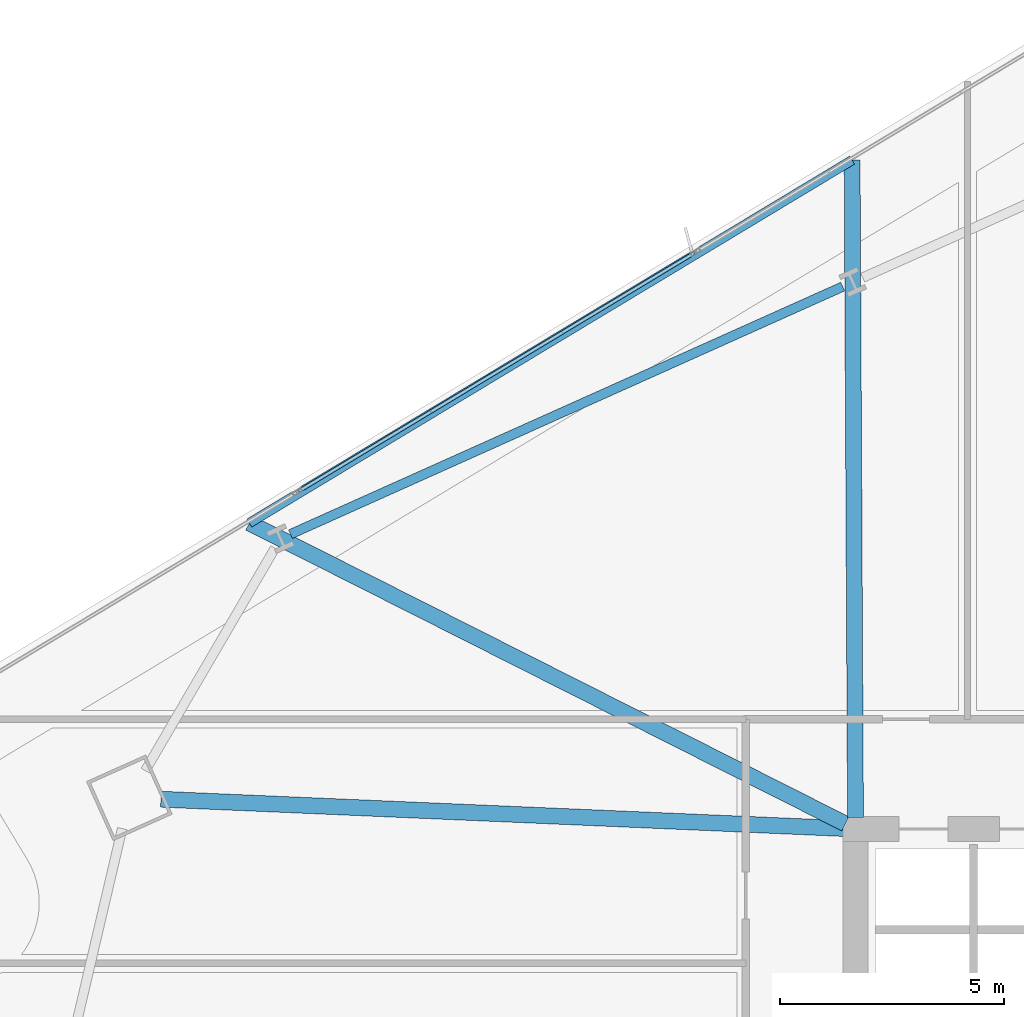
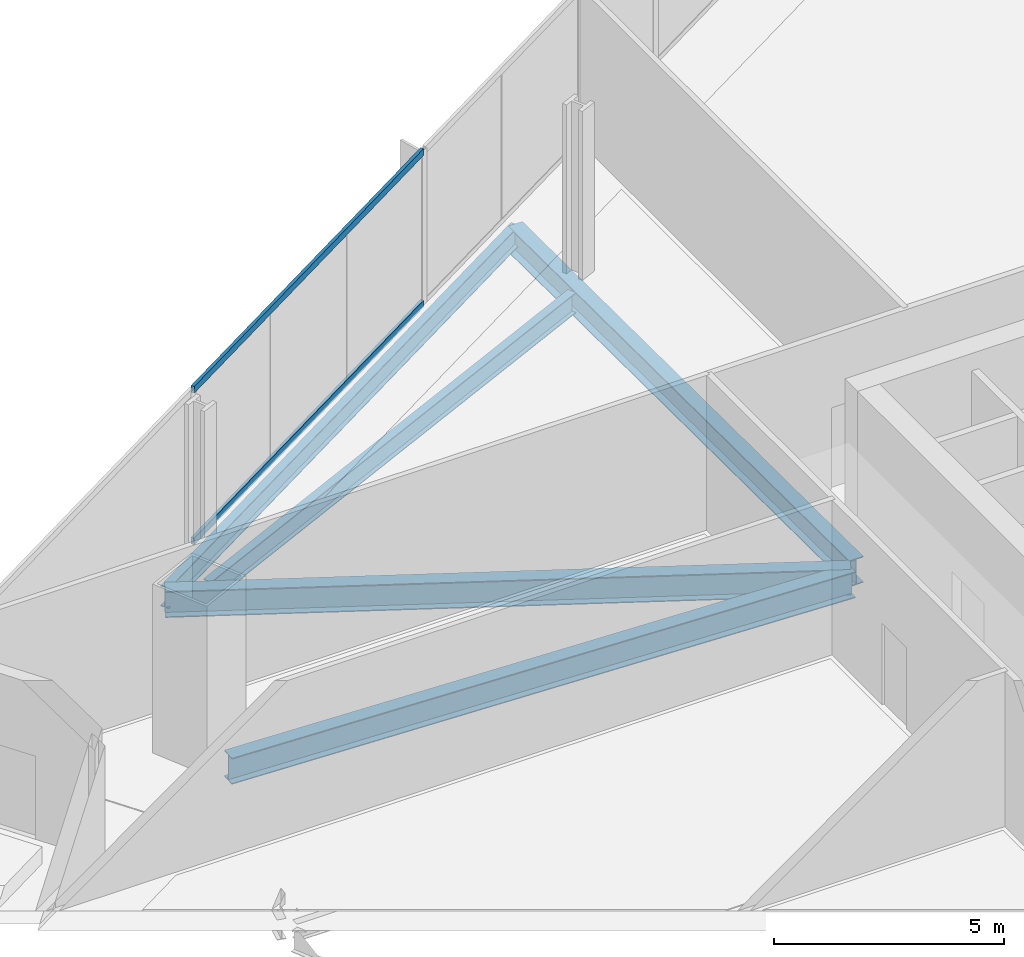
# One storey, part 14 of 30: 5 beams, 2 members, 1 element without a shape of its own.
"""IFC4 building model written with IfcOpenShell, lengths in metres."""

from ifc_helpers import new_model, si_unit, direction, frame, origin, origin_2d, place, context, subcontext, project, spatial, hollow_rectangle, i_section, extrude, material, material_profile, profile_set, type_object, element, aggregate, save


model = new_model("IFC4")

# Units and contexts
model_context = context("Model", 3, precision=1e-05, world=origin(), true_north=direction((0.0, 1.0)))
body_context = subcontext(model_context, "Body", "Model", "MODEL_VIEW")
ifc_project = project(units=[si_unit("LENGTHUNIT", "METRE"), si_unit("AREAUNIT", "SQUARE_METRE"), si_unit("VOLUMEUNIT", "CUBIC_METRE"), si_unit("PLANEANGLEUNIT", "RADIAN"), si_unit("MASSUNIT", "GRAM", prefix="KILO")], contexts=[model_context])

# Site, building, storey
site_placement = place(None, origin())
site = spatial("IfcSite", under=ifc_project, at=site_placement, CompositionType="ELEMENT")
building_placement = place(site_placement, origin())
building = spatial("IfcBuilding", under=site, at=building_placement, Name="Haldenkirk Collegiate Tower", CompositionType="ELEMENT")
storey_placement = place(building_placement, frame((0.0, 0.0, 131.699951171875)))
storey = spatial("IfcBuildingStorey", under=building, at=storey_placement, Name="L32", CompositionType="ELEMENT", Elevation=131.699951171875)

# Beams
ifc_material_1 = material(Name="Steel ASTM A992 Grade 50", Category="steel")
ifc_material_profile_1 = material_profile(ifc_material_1, i_section(OverallWidth=0.35498046875, OverallDepth=0.696044921875, WebThickness=0.015380859375, FlangeThickness=0.02490234375, at=origin_2d()), Name="W27X146")
ifc_profile_set_1 = profile_set([ifc_material_profile_1], Name="Steel ASTM A992 Grade 50")
beam_type_1 = type_object("IfcBeamType", Name="BM-GIRDER-W27X146", PredefinedType="BEAM", material=ifc_profile_set_1)
beam_1_placement = place(storey_placement, frame((11.489990234375, 34.6650390625, -0.697998046875), z_axis=(0.999082162822, -0.042834938212, 0.0), x_axis=(0.042834938212, 0.999082162822, 0.0)))
element("IfcBeam", 1, at=beam_1_placement, inside=storey, type_object=beam_type_1, Name="L32 primary floor girder 04", PredefinedType="BEAM", context=body_context, shape_type="SweptSolid", body=[
    extrude(i_section(OverallWidth=0.35498046875, OverallDepth=0.696044921875, WebThickness=0.015380859375, FlangeThickness=0.02490234375, at=origin_2d()), origin(), (0.0, 0.0, 1.0), 15.26904296875),
])
beam_2_placement = place(storey_placement, frame((26.923828125, 48.934814453125, -0.697998046875), z_axis=(0.005105622888, -0.999986966223, 0.0), x_axis=(0.999986966223, 0.005105622888, 0.0)))
element("IfcBeam", 2, at=beam_2_placement, inside=storey, type_object=beam_type_1, Name="L32 primary floor girder 12", PredefinedType="BEAM", context=body_context, shape_type="SweptSolid", body=[
    extrude(i_section(OverallWidth=0.35498046875, OverallDepth=0.696044921875, WebThickness=0.015380859375, FlangeThickness=0.02490234375, at=origin_2d()), origin(), (0.0, 0.0, 1.0), 14.68017578125),
])
beam_3_placement = place(storey_placement, frame((13.465576171875, 40.832275390625, -0.697998046875), z_axis=(0.892707442185, -0.450636685887, 0.0), x_axis=(0.450636685887, 0.892707442185, 0.0)))
element("IfcBeam", 3, at=beam_3_placement, inside=storey, type_object=beam_type_1, Name="L32 primary floor girder 13", PredefinedType="BEAM", context=body_context, shape_type="SweptSolid", body=[
    extrude(i_section(OverallWidth=0.35498046875, OverallDepth=0.696044921875, WebThickness=0.015380859375, FlangeThickness=0.02490234375, at=origin_2d()), origin(), (0.0, 0.0, 1.0), 14.90625),
])
ifc_material_profile_2 = material_profile(ifc_material_1, i_section(OverallWidth=0.2119140625, OverallDepth=0.5439453125, WebThickness=0.01318359375, FlangeThickness=0.021240234375, at=origin_2d()), Name="W21X83")
ifc_profile_set_2 = profile_set([ifc_material_profile_2], Name="Steel ASTM A992 Grade 50")
beam_type_2 = type_object("IfcBeamType", Name="BM-SPANDREL-W21X83", PredefinedType="SPANDREL", material=ifc_profile_set_2)
beam_4_placement = place(storey_placement, frame((26.7138671875, 46.111083984375, -0.6220703125), z_axis=(-0.912476765144, -0.409128528793, 0.0), x_axis=(0.409128528793, -0.912476765144, 0.0)))
element("IfcBeam", 4, at=beam_4_placement, inside=storey, type_object=beam_type_2, Name="L32 perimeter spandrel beam 11", PredefinedType="SPANDREL", context=body_context, shape_type="SweptSolid", body=[
    extrude(i_section(OverallWidth=0.2119140625, OverallDepth=0.5439453125, WebThickness=0.01318359375, FlangeThickness=0.021240234375, at=origin_2d()), origin(), (0.0, 0.0, 1.0), 13.512939453125),
])
beam_5_placement = place(storey_placement, frame((26.923828125, 48.934814453125, -0.6220703125), z_axis=(-0.856717171185, -0.515786475779, 0.0), x_axis=(0.515786475779, -0.856717171185, 0.0)))
element("IfcBeam", 5, at=beam_5_placement, inside=storey, type_object=beam_type_2, Name="L32 outer facade edge beam 3", PredefinedType="SPANDREL", context=body_context, shape_type="SweptSolid", body=[
    extrude(i_section(OverallWidth=0.2119140625, OverallDepth=0.5439453125, WebThickness=0.01318359375, FlangeThickness=0.021240234375, at=origin_2d()), origin(), (0.0, 0.0, 1.0), 15.708984375),
])

# Curtain wall, members
ifc_material_2 = material(Name="Anodised architectural bronze aluminium", Category="aluminium")
curtain_wall_type = type_object("IfcCurtainWallType", Name="CW-SYS1-CONVEX-LOW", PredefinedType="USERDEFINED", material=ifc_material_2)
curtain_wall_placement = place(storey_placement, origin())
curtain_wall = element("IfcCurtainWall", 6, at=curtain_wall_placement, inside=storey, type_object=curtain_wall_type, Name="L32 Lower tower convex bronze-framed unitised curtain wall", ObjectType="UNITISED CURTAIN WALL", PredefinedType="USERDEFINED")
ifc_material_profile_3 = material_profile(ifc_material_2, hollow_rectangle(XDim=0.080078125, YDim=0.179931640625, WallThickness=0.0048828125, at=origin_2d()), Name="CW-TRN-1A")
ifc_profile_set_3 = profile_set([ifc_material_profile_3], Name="Anodised architectural bronze aluminium")
member_type = type_object("IfcMemberType", Name="CW-TRN-1A", PredefinedType="USERDEFINED", material=ifc_profile_set_3)
member_1_placement = place(storey_placement, frame((14.575927734375, 41.547607421875, 0.0400390625), z_axis=(0.856719856425, 0.515782015591, 0.0), x_axis=(-0.515782015591, 0.856719856425, 0.0)))
member_1 = element("IfcMember", 7, at=member_1_placement, type_object=member_type, Name="CW-1A transom 2.1", ObjectType="TRANSOM", PredefinedType="USERDEFINED", context=body_context, shape_type="SweptSolid", body=[
    extrude(hollow_rectangle(XDim=0.080078125, YDim=0.179931640625, WallThickness=0.0048828125, at=origin_2d()), origin(), (0.0, 0.0, 1.0), 10.295166015625),
])
member_2_placement = place(storey_placement, frame((14.575927734375, 41.547607421875, 4.06005859375), z_axis=(0.856719856425, 0.515782015591, 0.0), x_axis=(-0.515782015591, 0.856719856425, 0.0)))
member_2 = element("IfcMember", 8, at=member_2_placement, type_object=member_type, Name="CW-1A transom 2.2", ObjectType="TRANSOM", PredefinedType="USERDEFINED", context=body_context, shape_type="SweptSolid", body=[
    extrude(hollow_rectangle(XDim=0.080078125, YDim=0.179931640625, WallThickness=0.0048828125, at=origin_2d()), origin(), (0.0, 0.0, 1.0), 10.295166015625),
])
aggregate(curtain_wall, [member_1, member_2])

save(model, "model.ifc")
